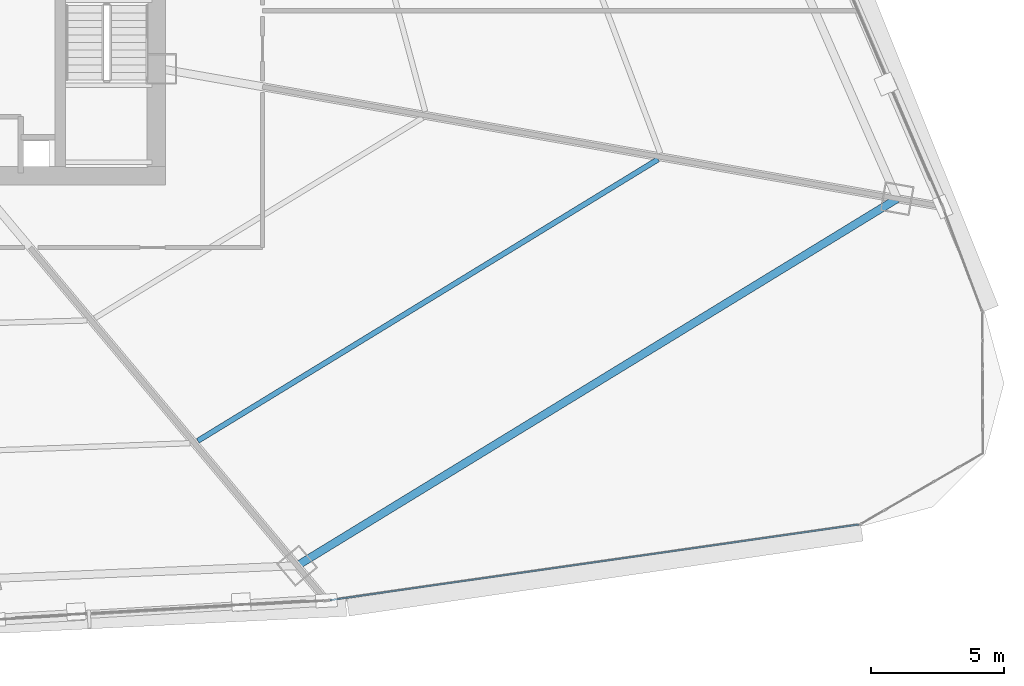
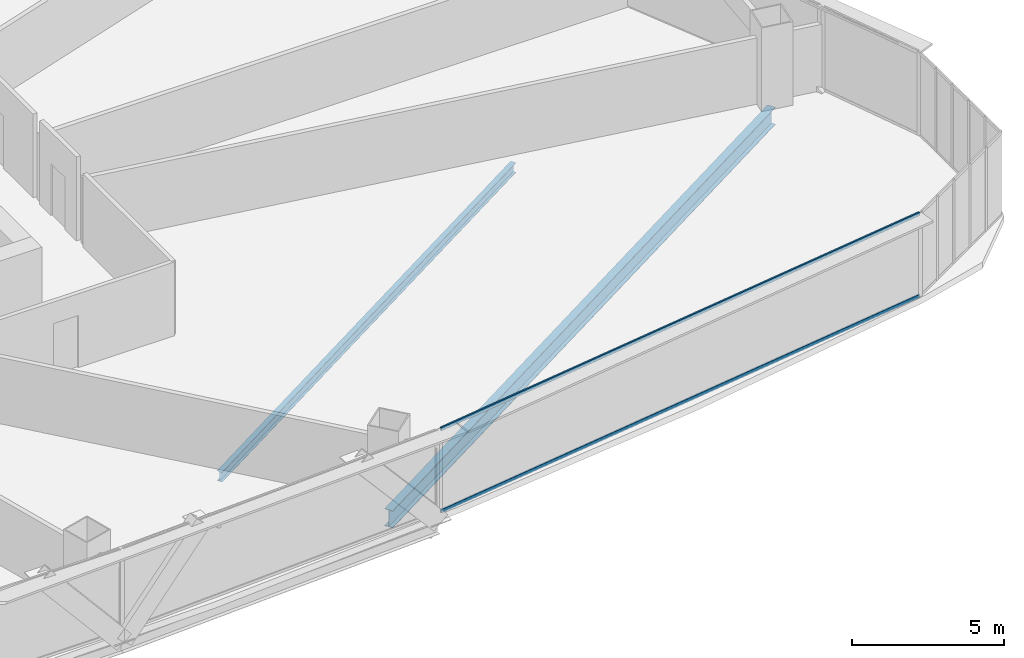
# One storey, part 21 of 42: 2 beams, 2 members, 1 element without a shape of its own.
"""IFC4 building model written with IfcOpenShell, lengths in metres."""

from ifc_helpers import new_model, si_unit, direction, frame, origin, origin_2d, place, context, subcontext, project, spatial, hollow_rectangle, i_section, extrude, source, transform, mapped, material, layer, layer_set, material_profile, profile_set, type_object, element, aggregate, save


model = new_model("IFC4")

# Units and contexts
model_context = context("Model", 3, precision=1e-05, world=origin(), true_north=direction((0.0, 1.0)))
body_context = subcontext(model_context, "Body", "Model", "MODEL_VIEW")
ifc_project = project(units=[si_unit("LENGTHUNIT", "METRE"), si_unit("AREAUNIT", "SQUARE_METRE"), si_unit("VOLUMEUNIT", "CUBIC_METRE"), si_unit("PLANEANGLEUNIT", "RADIAN"), si_unit("MASSUNIT", "GRAM", prefix="KILO"), si_unit("THERMODYNAMICTEMPERATUREUNIT", "KELVIN"), si_unit("POWERUNIT", "WATT")], contexts=[model_context])

# Site, building, storey
site_placement = place(None, origin())
site = spatial("IfcSite", under=ifc_project, at=site_placement, CompositionType="ELEMENT")
building_placement = place(site_placement, origin())
building = spatial("IfcBuilding", under=site, at=building_placement, Name="Yunzhuo Pagoda Commons", CompositionType="ELEMENT")
storey_placement = place(building_placement, frame((0.0, 0.0, 48.550048828125)))
storey = spatial("IfcBuildingStorey", under=building, at=storey_placement, Name="L12", CompositionType="ELEMENT", Elevation=48.550048828125)

# Beams
ifc_material_1 = material(Name="Structural steel Q355B", Category="steel")
ifc_material_profile_1 = material_profile(ifc_material_1, i_section(OverallWidth=0.300048828125, OverallDepth=0.699951171875, WebThickness=0.012939453125, FlangeThickness=0.02392578125, at=origin_2d()), Name="Structural steel Q355B")
ifc_profile_set_1 = profile_set([ifc_material_profile_1], Name="Structural steel Q355B")
beam_type_1 = type_object("IfcBeamType", Name="B-RG1 Beam HN 700x300x13x24", PredefinedType="BEAM", material=ifc_profile_set_1)
shared_shape_1 = source(origin(), body_context, "Body", "SweptSolid", [
    extrude(i_section(OverallWidth=0.300048828125, OverallDepth=0.699951171875, WebThickness=0.012939453125, FlangeThickness=0.02392578125, at=origin_2d()), origin(), (0.0, 0.0, 1.0), 26.432373046875),
])
beam_1_placement = place(storey_placement, frame((65.5, 12.844482421875, -0.610107421875), z_axis=(0.853031728928, 0.521859051318, 0.0), x_axis=(-0.521859051318, 0.853031728928, 0.0)))
element("IfcBeam", 1, at=beam_1_placement, inside=storey, type_object=beam_type_1, Name="L12 column-ring beam 4", PredefinedType="BEAM", context=body_context, shape_type="MappedRepresentation", body=[
    mapped(shared_shape_1, transform((0.0, 0.0, 0.0), scale=1.0)),
])
ifc_material_profile_2 = material_profile(ifc_material_1, i_section(OverallWidth=0.199951171875, OverallDepth=0.39990234375, WebThickness=0.008056640625, FlangeThickness=0.012939453125, at=origin_2d()), Name="Structural steel Q355B")
ifc_profile_set_2 = profile_set([ifc_material_profile_2], Name="Structural steel Q355B")
beam_type_2 = type_object("IfcBeamType", Name="B-JS1 Joist HN 400x200x8x13", PredefinedType="JOIST", material=ifc_profile_set_2)
shared_shape_2 = source(origin(), body_context, "Body", "SweptSolid", [
    extrude(i_section(OverallWidth=0.199951171875, OverallDepth=0.39990234375, WebThickness=0.008056640625, FlangeThickness=0.012939453125, at=origin_2d()), origin(), (0.0, 0.0, 1.0), 20.275634765625),
])
beam_2_placement = place(storey_placement, frame((61.767578125, 17.537109375, -0.4599609375), z_axis=(0.853102898066, 0.521742700295, 0.0), x_axis=(-0.521742700295, 0.853102898066, 0.0)))
element("IfcBeam", 2, at=beam_2_placement, inside=storey, type_object=beam_type_2, Name="L12 composite ring joist 2.4", PredefinedType="JOIST", context=body_context, shape_type="MappedRepresentation", body=[
    mapped(shared_shape_2, transform((0.0, 0.0, 0.0), scale=1.0)),
])

# Curtain wall, members
ifc_material_2 = material(Name="Anodized aluminium 6063-T6", Category="aluminium")
ifc_layer = layer(ifc_material_2, 0.1650390625)
ifc_layer_set = layer_set([ifc_layer], Name="Anodized aluminium 6063-T6")
curtain_wall_type = type_object("IfcCurtainWallType", Name="CW-LOW Low-Zone Ribbon Curtain Wall", PredefinedType="NOTDEFINED", material=ifc_layer_set)
curtain_wall_placement = place(storey_placement, origin())
curtain_wall = element("IfcCurtainWall", 3, at=curtain_wall_placement, inside=storey, type_object=curtain_wall_type, Name="L12 curtain wall CW-L12-F1B5", PredefinedType="NOTDEFINED")
ifc_material_profile_3 = material_profile(ifc_material_2, hollow_rectangle(XDim=0.06005859375, YDim=0.139892578125, WallThickness=0.00341796875, at=origin_2d()), Name="Anodized aluminium 6063-T6")
ifc_profile_set_3 = profile_set([ifc_material_profile_3], Name="Anodized aluminium 6063-T6")
member_type = type_object("IfcMemberType", Name="CW-LOW-T Transom RHS 140x60x3.5", PredefinedType="USERDEFINED", material=ifc_profile_set_3)
shared_shape_3 = source(origin(), body_context, "Body", "SweptSolid", [
    extrude(hollow_rectangle(XDim=0.06005859375, YDim=0.139892578125, WallThickness=0.00341796875, at=origin_2d()), origin(), (0.0, 0.0, 1.0), 20.066650390625),
])
member_1_placement = place(storey_placement, frame((66.739013671875, 11.552734375, 0.030029296875), z_axis=(0.989938784311, 0.141496301422, 0.0), x_axis=(-0.141496301422, 0.989938784311, 0.0)))
member_1 = element("IfcMember", 4, at=member_1_placement, type_object=member_type, Name="CW transom 1.1", ObjectType="TRANSOM", PredefinedType="USERDEFINED", context=body_context, shape_type="MappedRepresentation", body=[
    mapped(shared_shape_3, transform((0.0, 0.0, 0.0), scale=1.0)),
])
member_2_placement = place(storey_placement, frame((66.739013671875, 11.552734375, 3.33984375), z_axis=(0.989938784311, 0.141496301422, 0.0), x_axis=(-0.141496301422, 0.989938784311, 0.0)))
member_2 = element("IfcMember", 5, at=member_2_placement, type_object=member_type, Name="CW transom 1.2", ObjectType="TRANSOM", PredefinedType="USERDEFINED", context=body_context, shape_type="MappedRepresentation", body=[
    mapped(shared_shape_3, transform((0.0, 0.0, 0.0), scale=1.0)),
])
aggregate(curtain_wall, [member_1, member_2])

save(model, "model.ifc")
